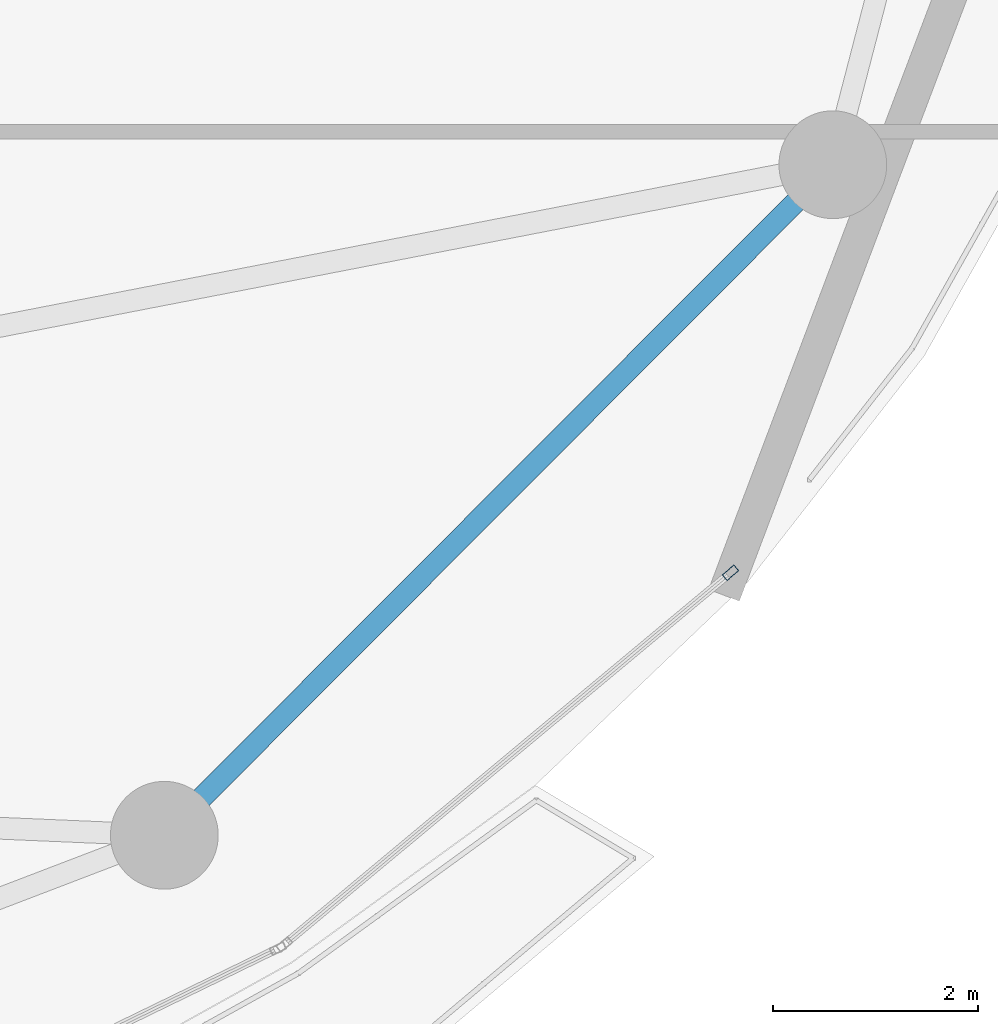
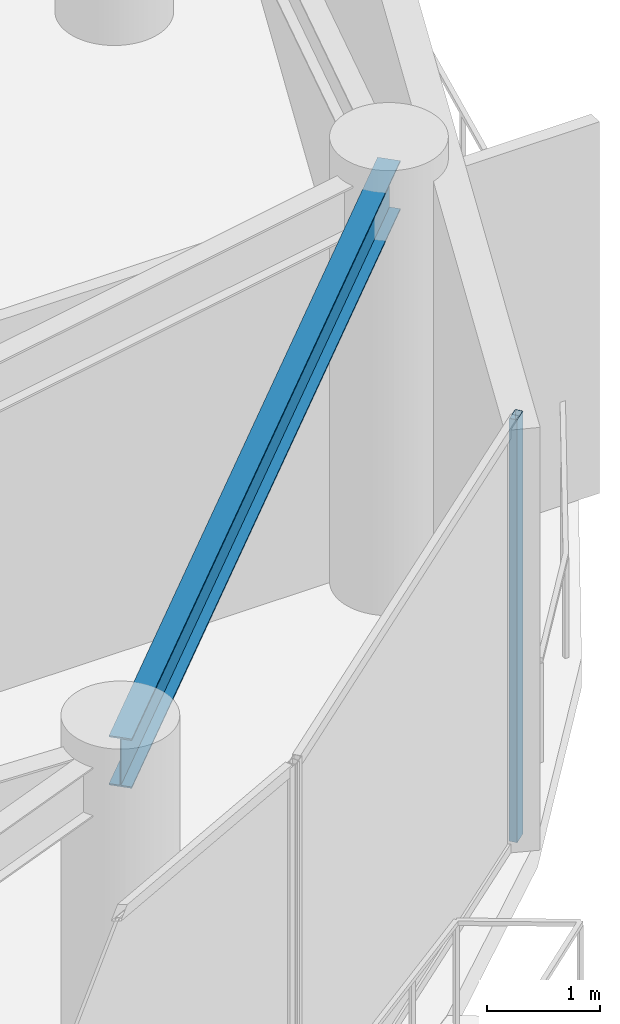
# One storey, part 13 of 28: 1 beam, 1 member, 1 element without a shape of its own.
"""IFC4 building model written with IfcOpenShell, lengths in metres."""

from ifc_helpers import new_model, si_unit, direction, frame, origin, origin_2d, place, context, subcontext, project, spatial, hollow_rectangle, i_section, extrude, material, layer, layer_set, material_profile, profile_set, type_object, element, aggregate, save


model = new_model("IFC4")

# Units and contexts
model_context = context("Model", 3, precision=1e-05, world=origin(), true_north=direction((0.0, 1.0)))
body_context = subcontext(model_context, "Body", "Model", "MODEL_VIEW")
ifc_project = project(units=[si_unit("LENGTHUNIT", "METRE"), si_unit("AREAUNIT", "SQUARE_METRE"), si_unit("VOLUMEUNIT", "CUBIC_METRE"), si_unit("PLANEANGLEUNIT", "RADIAN"), si_unit("MASSUNIT", "GRAM", prefix="KILO")], contexts=[model_context])

# Site, building, storey
site_placement = place(None, origin())
site = spatial("IfcSite", under=ifc_project, at=site_placement, CompositionType="ELEMENT")
building_placement = place(site_placement, origin())
building = spatial("IfcBuilding", under=site, at=building_placement, Name="Kazevale Care Tower and Concert Hall", CompositionType="ELEMENT")
storey_placement = place(building_placement, frame((0.0, 0.0, 190.800048828125)))
storey = spatial("IfcBuildingStorey", under=building, at=storey_placement, Name="L50", CompositionType="ELEMENT", Elevation=190.800048828125)

# Curtain wall, member
ifc_material_1 = material(Name="Aluminium 6063-T6 and Low-E Glass", Category="aluminium")
ifc_layer = layer(ifc_material_1, 0.179931640625)
ifc_layer_set = layer_set([ifc_layer], Name="Aluminium 6063-T6 and Low-E Glass")
curtain_wall_type = type_object("IfcCurtainWallType", Name="Sheltered Concave Balcony Curtain Wall CW-5", PredefinedType="NOTDEFINED", material=ifc_layer_set)
curtain_wall_placement = place(storey_placement, origin())
curtain_wall = element("IfcCurtainWall", 1, at=curtain_wall_placement, inside=storey, type_object=curtain_wall_type, Name="cw:L50:f02", PredefinedType="NOTDEFINED")
ifc_material_2 = material(Name="Aluminium 6063-T6", Category="aluminium")
ifc_material_profile_1 = material_profile(ifc_material_2, hollow_rectangle(XDim=0.074951171875, YDim=0.14990234375, WallThickness=0.00390625, at=origin_2d()), Name="ALU75x150x4")
ifc_profile_set_1 = profile_set([ifc_material_profile_1], Name="Aluminium 6063-T6")
member_type = type_object("IfcMemberType", Name="CW-5 Mullion ALU75x150x4", PredefinedType="MULLION", material=ifc_profile_set_1)
member_placement = place(storey_placement, frame((71.76318359375, 25.2060546875, 0.0), z_axis=(0.0, 0.0, 1.0), x_axis=(0.639961217204, -0.768407210062, 0.0)))
member = element("IfcMember", 2, at=member_placement, type_object=member_type, Name="CW-5 mullion 1", PredefinedType="MULLION", context=body_context, shape_type="SweptSolid", body=[
    extrude(hollow_rectangle(XDim=0.074951171875, YDim=0.14990234375, WallThickness=0.00390625, at=origin_2d()), origin(), (0.0, 0.0, 1.0), 4.56005859375),
])
aggregate(curtain_wall, [member])

# Beam
ifc_material_3 = material(Name="Steel ASTM A572 Gr 50", Category="steel")
ifc_material_profile_2 = material_profile(ifc_material_3, i_section(OverallWidth=0.208984375, OverallDepth=0.532958984375, WebThickness=0.01025390625, FlangeThickness=0.015625, at=origin_2d()), Name="W530x92")
ifc_profile_set_2 = profile_set([ifc_material_profile_2], Name="Steel ASTM A572 Gr 50")
beam_type = type_object("IfcBeamType", Name="Upper Ring Beam W530x92", PredefinedType="BEAM", material=ifc_profile_set_2)
beam_placement = place(storey_placement, frame((66.25, 22.64990234375, 4.29345703125), z_axis=(0.706020373708, 0.708191522054, 0.0), x_axis=(-0.708191522054, 0.706020373708, 0.0)))
element("IfcBeam", 3, at=beam_placement, inside=storey, type_object=beam_type, Name="beam:L50:ring:15", PredefinedType="BEAM", context=body_context, shape_type="SweptSolid", body=[
    extrude(i_section(OverallWidth=0.208984375, OverallDepth=0.532958984375, WebThickness=0.01025390625, FlangeThickness=0.015625, at=origin_2d()), origin(), (0.0, 0.0, 1.0), 9.220703125),
])

save(model, "model.ifc")
